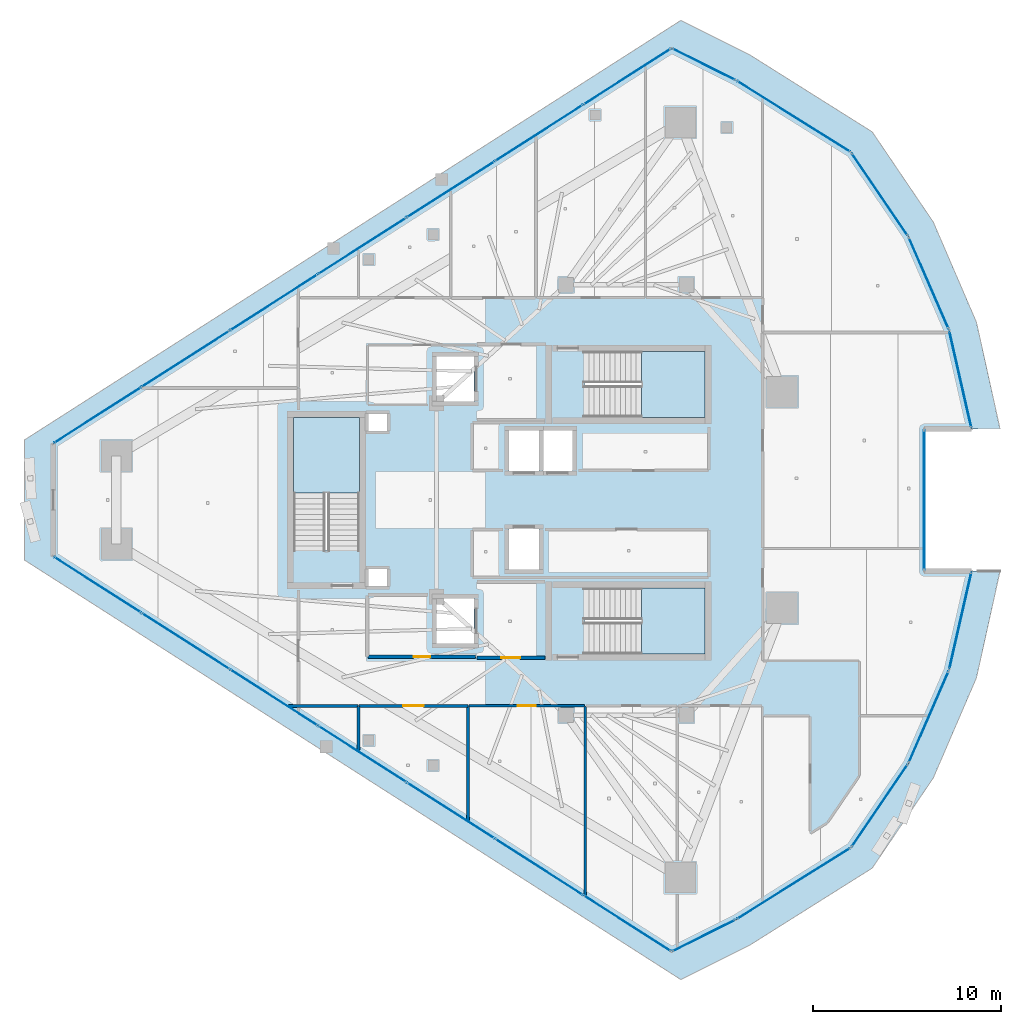
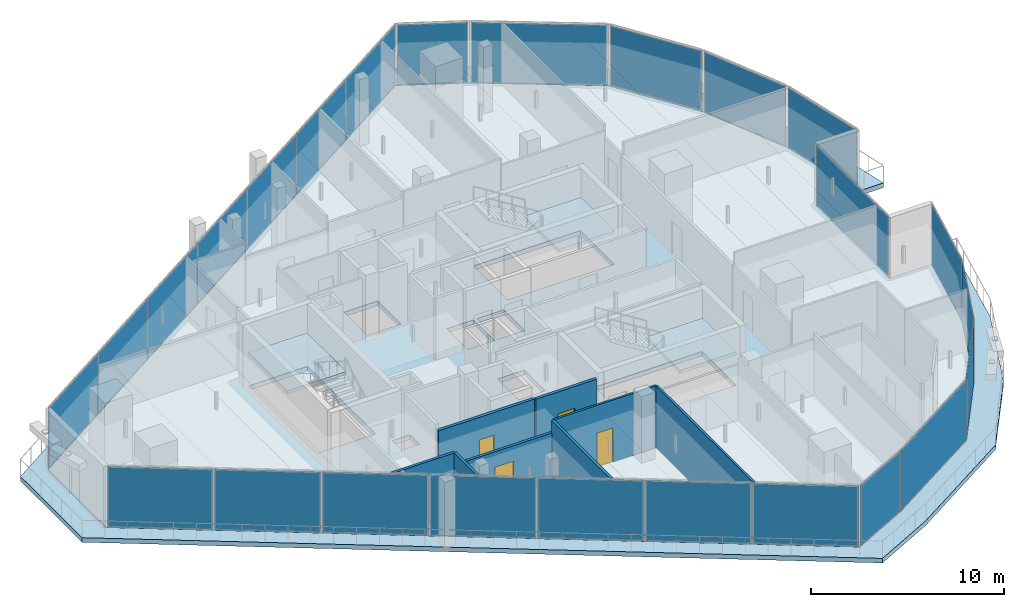
# One storey, part 24 of 36: 25 plates, 8 walls, 5 slabs, 4 doors, 4 openings, 16 elements without a shape of their own.
"""IFC4 building model written with IfcOpenShell, lengths in metres."""

from ifc_helpers import new_model, si_unit, direction, frame, frame_2d, origin, origin_2d, place, context, subcontext, project, spatial, polyline, rectangle, outline, extrude, material, layer, layer_set, type_object, element, fill, aggregate, save


model = new_model("IFC4")

# Units and contexts
model_context = context("Model", 3, precision=1e-05, world=origin(), true_north=direction((0.0, 1.0)))
body_context = subcontext(model_context, "Body", "Model", "MODEL_VIEW")
ifc_project = project(units=[si_unit("LENGTHUNIT", "METRE"), si_unit("AREAUNIT", "SQUARE_METRE"), si_unit("VOLUMEUNIT", "CUBIC_METRE"), si_unit("PLANEANGLEUNIT", "RADIAN"), si_unit("MASSUNIT", "GRAM", prefix="KILO")], contexts=[model_context])

# Site, building, storey
site_placement = place(None, origin())
site = spatial("IfcSite", under=ifc_project, at=site_placement, CompositionType="ELEMENT")
building_placement = place(site_placement, origin())
building = spatial("IfcBuilding", under=site, at=building_placement, Name="Qorvath Tower", CompositionType="ELEMENT")
storey_placement = place(building_placement, frame((0.0, 0.0, 272.39990234375)))
storey = spatial("IfcBuildingStorey", under=building, at=storey_placement, Name="L63", CompositionType="ELEMENT", Elevation=272.39990234375)

# Curtain wall, plates
ifc_material_1 = material(Name="Anodised aluminium and triple low-E glass", Category="aluminium")
ifc_layer_1 = layer(ifc_material_1, 0.179931640625)
ifc_layer_set_1 = layer_set([ifc_layer_1], Name="CW-SYS-4")
curtain_wall_type = type_object("IfcCurtainWallType", Name="CW-SYS-4", PredefinedType="NOTDEFINED", material=ifc_layer_set_1)
curtain_wall_1_placement = place(storey_placement, origin())
curtain_wall_1 = element("IfcCurtainWall", 1, at=curtain_wall_1_placement, inside=storey, type_object=curtain_wall_type, Name="Curtain Wall CW-4 CW-T-L63-2.1", PredefinedType="NOTDEFINED")
ifc_material_2 = material(Name="Acoustic laminated low-E glass", Category="glass")
ifc_layer_2 = layer(ifc_material_2, 0.0380859375)
ifc_layer_set_2 = layer_set([ifc_layer_2], Name="CWP-GLZ-38")
plate_type = type_object("IfcPlateType", Name="CWP-GLZ-38", PredefinedType="CURTAIN_PANEL", material=ifc_layer_set_2)
plate_1_placement = place(storey_placement, frame((-48.538818359375, -4.51904296875, 0.06494140625), z_axis=(0.0, 0.0, 1.0), x_axis=(0.842604094093, -0.538533509281, 0.0)))
plate_1 = element("IfcPlate", 2, at=plate_1_placement, type_object=plate_type, Name="CW-4 panel 1.1", PredefinedType="CURTAIN_PANEL", context=body_context, shape_type="SweptSolid", body=[
    extrude(rectangle(XDim=5.46923828125, YDim=0.0380859375, at=origin_2d()), origin(), (0.0, 0.0, 1.0), 3.7802734375),
])
plate_2_placement = place(storey_placement, frame((-43.8515625, -7.514892578125, 0.06494140625), z_axis=(0.0, 0.0, 1.0), x_axis=(0.842604094093, -0.538533509281, 0.0)))
plate_2 = element("IfcPlate", 3, at=plate_2_placement, type_object=plate_type, Name="CW-4 panel 2.1", PredefinedType="CURTAIN_PANEL", context=body_context, shape_type="SweptSolid", body=[
    extrude(rectangle(XDim=5.506591796875, YDim=0.0380859375, at=origin_2d()), origin(), (0.0, 0.0, 1.0), 3.7802734375),
])
plate_3_placement = place(storey_placement, frame((-39.148193359375, -10.520751953125, 0.06494140625), z_axis=(0.0, 0.0, 1.0), x_axis=(0.842604094093, -0.538533509281, 0.0)))
plate_3 = element("IfcPlate", 4, at=plate_3_placement, type_object=plate_type, Name="CW-4 panel 3.1", PredefinedType="CURTAIN_PANEL", context=body_context, shape_type="SweptSolid", body=[
    extrude(rectangle(XDim=5.506591796875, YDim=0.0380859375, at=origin_2d()), origin(), (0.0, 0.0, 1.0), 3.7802734375),
])
plate_4_placement = place(storey_placement, frame((-34.445068359375, -13.526611328125, 0.06494140625), z_axis=(0.0, 0.0, 1.0), x_axis=(0.842604094093, -0.538533509281, 0.0)))
plate_4 = element("IfcPlate", 5, at=plate_4_placement, type_object=plate_type, Name="CW-4 panel 4.1", PredefinedType="CURTAIN_PANEL", context=body_context, shape_type="SweptSolid", body=[
    extrude(rectangle(XDim=5.506591796875, YDim=0.0380859375, at=origin_2d()), origin(), (0.0, 0.0, 1.0), 3.7802734375),
])
plate_5_placement = place(storey_placement, frame((-29.741943359375, -16.532470703125, 0.06494140625), z_axis=(0.0, 0.0, 1.0), x_axis=(0.842604094093, -0.538533509281, 0.0)))
plate_5 = element("IfcPlate", 6, at=plate_5_placement, type_object=plate_type, Name="CW-4 panel 5.1", PredefinedType="CURTAIN_PANEL", context=body_context, shape_type="SweptSolid", body=[
    extrude(rectangle(XDim=5.506591796875, YDim=0.0380859375, at=origin_2d()), origin(), (0.0, 0.0, 1.0), 3.7802734375),
])
plate_6_placement = place(storey_placement, frame((-25.038818359375, -19.53857421875, 0.06494140625), z_axis=(0.0, 0.0, 1.0), x_axis=(0.842604094093, -0.538533509281, 0.0)))
plate_6 = element("IfcPlate", 7, at=plate_6_placement, type_object=plate_type, Name="CW-4 panel 6.1", PredefinedType="CURTAIN_PANEL", context=body_context, shape_type="SweptSolid", body=[
    extrude(rectangle(XDim=5.506591796875, YDim=0.0380859375, at=origin_2d()), origin(), (0.0, 0.0, 1.0), 3.7802734375),
])
plate_7_placement = place(storey_placement, frame((-20.3515625, -22.534423828125, 0.06494140625), z_axis=(0.0, 0.0, 1.0), x_axis=(0.842604094093, -0.538533509281, 0.0)))
plate_7 = element("IfcPlate", 8, at=plate_7_placement, type_object=plate_type, Name="CW-4 panel 7.1", PredefinedType="CURTAIN_PANEL", context=body_context, shape_type="SweptSolid", body=[
    extrude(rectangle(XDim=5.46923828125, YDim=0.0380859375, at=origin_2d()), origin(), (0.0, 0.0, 1.0), 3.7802734375),
])
aggregate(curtain_wall_1, [plate_1, plate_2, plate_3, plate_4, plate_5, plate_6, plate_7])

# Curtain wall, plate
curtain_wall_2_placement = place(storey_placement, origin())
curtain_wall_2 = element("IfcCurtainWall", 9, at=curtain_wall_2_placement, inside=storey, type_object=curtain_wall_type, Name="Curtain Wall CW-4 CW-T-L63-3.1", PredefinedType="NOTDEFINED")
plate_8_placement = place(storey_placement, frame((-16.266357421875, -23.1884765625, 0.06494140625), z_axis=(0.0, 0.0, 1.0), x_axis=(0.894411568906, 0.447244838324, 0.0)))
plate_8 = element("IfcPlate", 10, at=plate_8_placement, type_object=plate_type, Name="CW-4 panel 1.1", PredefinedType="CURTAIN_PANEL", context=body_context, shape_type="SweptSolid", body=[
    extrude(rectangle(XDim=3.69091796875, YDim=0.0380859375, at=origin_2d()), origin(), (0.0, 0.0, 1.0), 3.7802734375),
])
aggregate(curtain_wall_2, [plate_8])

curtain_wall_3_placement = place(storey_placement, origin())
curtain_wall_3 = element("IfcCurtainWall", 11, at=curtain_wall_3_placement, inside=storey, type_object=curtain_wall_type, Name="Curtain Wall CW-4 CW-T-L63-4.1", PredefinedType="NOTDEFINED")
plate_9_placement = place(storey_placement, frame((-11.489013671875, -20.415283203125, 0.06494140625), z_axis=(0.0, 0.0, 1.0), x_axis=(0.84777096848, 0.530362503391, 0.0)))
plate_9 = element("IfcPlate", 12, at=plate_9_placement, type_object=plate_type, Name="CW-4 panel 1.1", PredefinedType="CURTAIN_PANEL", context=body_context, shape_type="SweptSolid", body=[
    extrude(rectangle(XDim=7.068359375, YDim=0.0380859375, at=origin_2d()), origin(), (0.0, 0.0, 1.0), 3.7802734375),
])
aggregate(curtain_wall_3, [plate_9])

curtain_wall_4_placement = place(storey_placement, origin())
curtain_wall_4 = element("IfcCurtainWall", 13, at=curtain_wall_4_placement, inside=storey, type_object=curtain_wall_type, Name="Curtain Wall CW-4 CW-T-L63-5.1", PredefinedType="NOTDEFINED")
plate_10_placement = place(storey_placement, frame((-6.905029296875, -16.264892578125, 0.06494140625), z_axis=(0.0, 0.0, 1.0), x_axis=(0.56320266455, 0.826318799643, 0.0)))
plate_10 = element("IfcPlate", 14, at=plate_10_placement, type_object=plate_type, Name="CW-4 panel 1.1", PredefinedType="CURTAIN_PANEL", context=body_context, shape_type="SweptSolid", body=[
    extrude(rectangle(XDim=5.262451171875, YDim=0.0380859375, at=origin_2d()), origin(), (0.0, 0.0, 1.0), 3.7802734375),
])
aggregate(curtain_wall_4, [plate_10])

curtain_wall_5_placement = place(storey_placement, origin())
curtain_wall_5 = element("IfcCurtainWall", 15, at=curtain_wall_5_placement, inside=storey, type_object=curtain_wall_type, Name="Curtain Wall CW-4 CW-T-L63-6.1", PredefinedType="NOTDEFINED")
plate_11_placement = place(storey_placement, frame((-4.298583984375, -11.548095703125, 0.06494140625), z_axis=(0.0, 0.0, 1.0), x_axis=(0.399899872441, 0.91655883173, 0.0)))
plate_11 = element("IfcPlate", 16, at=plate_11_placement, type_object=plate_type, Name="CW-4 panel 1.1", PredefinedType="CURTAIN_PANEL", context=body_context, shape_type="SweptSolid", body=[
    extrude(rectangle(XDim=5.262939453125, YDim=0.0380859375, at=origin_2d()), origin(), (0.0, 0.0, 1.0), 3.7802734375),
])
aggregate(curtain_wall_5, [plate_11])

curtain_wall_6_placement = place(storey_placement, origin())
curtain_wall_6 = element("IfcCurtainWall", 17, at=curtain_wall_6_placement, inside=storey, type_object=curtain_wall_type, Name="Curtain Wall CW-4 CW-T-L63-7.1", PredefinedType="NOTDEFINED")
plate_12_placement = place(storey_placement, frame((-2.614013671875, -6.42919921875, 0.06494140625), z_axis=(0.0, 0.0, 1.0), x_axis=(0.222592024744, 0.974911683446, 0.0)))
plate_12 = element("IfcPlate", 18, at=plate_12_placement, type_object=plate_type, Name="CW-4 panel 1.1", PredefinedType="CURTAIN_PANEL", context=body_context, shape_type="SweptSolid", body=[
    extrude(rectangle(XDim=5.2626953125, YDim=0.0380859375, at=origin_2d()), origin(), (0.0, 0.0, 1.0), 3.7802734375),
])
aggregate(curtain_wall_6, [plate_12])

curtain_wall_7_placement = place(storey_placement, origin())
curtain_wall_7 = element("IfcCurtainWall", 19, at=curtain_wall_7_placement, inside=storey, type_object=curtain_wall_type, Name="Curtain Wall CW-4 CW-T-L63-9.1", PredefinedType="NOTDEFINED")
plate_13_placement = place(storey_placement, frame((-4.538818359375, 0.0, 0.06494140625), z_axis=(0.0, 0.0, 1.0), x_axis=(0.0, 1.0, 0.0)))
plate_13 = element("IfcPlate", 20, at=plate_13_placement, type_object=plate_type, Name="CW-4 panel 1.1", PredefinedType="CURTAIN_PANEL", context=body_context, shape_type="SweptSolid", body=[
    extrude(rectangle(XDim=7.431640625, YDim=0.0380859375, at=origin_2d()), origin(), (0.0, 0.0, 1.0), 3.7802734375),
])
aggregate(curtain_wall_7, [plate_13])

curtain_wall_8_placement = place(storey_placement, origin())
curtain_wall_8 = element("IfcCurtainWall", 21, at=curtain_wall_8_placement, inside=storey, type_object=curtain_wall_type, Name="Curtain Wall CW-4 CW-T-L63-11.1", PredefinedType="NOTDEFINED")
plate_14_placement = place(storey_placement, frame((-2.614013671875, 6.42919921875, 0.06494140625), z_axis=(0.0, 0.0, 1.0), x_axis=(-0.222592024744, 0.974911683446, 0.0)))
plate_14 = element("IfcPlate", 22, at=plate_14_placement, type_object=plate_type, Name="CW-4 panel 1.1", PredefinedType="CURTAIN_PANEL", context=body_context, shape_type="SweptSolid", body=[
    extrude(rectangle(XDim=5.2626953125, YDim=0.0380859375, at=origin_2d()), origin(), (0.0, 0.0, 1.0), 3.7802734375),
])
aggregate(curtain_wall_8, [plate_14])

curtain_wall_9_placement = place(storey_placement, origin())
curtain_wall_9 = element("IfcCurtainWall", 23, at=curtain_wall_9_placement, inside=storey, type_object=curtain_wall_type, Name="Curtain Wall CW-4 CW-T-L63-12.1", PredefinedType="NOTDEFINED")
plate_15_placement = place(storey_placement, frame((-4.298583984375, 11.548095703125, 0.06494140625), z_axis=(0.0, 0.0, 1.0), x_axis=(-0.399899872441, 0.91655883173, 0.0)))
plate_15 = element("IfcPlate", 24, at=plate_15_placement, type_object=plate_type, Name="CW-4 panel 1.1", PredefinedType="CURTAIN_PANEL", context=body_context, shape_type="SweptSolid", body=[
    extrude(rectangle(XDim=5.262939453125, YDim=0.0380859375, at=origin_2d()), origin(), (0.0, 0.0, 1.0), 3.7802734375),
])
aggregate(curtain_wall_9, [plate_15])

curtain_wall_10_placement = place(storey_placement, origin())
curtain_wall_10 = element("IfcCurtainWall", 25, at=curtain_wall_10_placement, inside=storey, type_object=curtain_wall_type, Name="Curtain Wall CW-4 CW-T-L63-13.1", PredefinedType="NOTDEFINED")
plate_16_placement = place(storey_placement, frame((-6.905029296875, 16.264892578125, 0.06494140625), z_axis=(0.0, 0.0, 1.0), x_axis=(-0.56320266455, 0.826318799643, 0.0)))
plate_16 = element("IfcPlate", 26, at=plate_16_placement, type_object=plate_type, Name="CW-4 panel 1.1", PredefinedType="CURTAIN_PANEL", context=body_context, shape_type="SweptSolid", body=[
    extrude(rectangle(XDim=5.262451171875, YDim=0.0380859375, at=origin_2d()), origin(), (0.0, 0.0, 1.0), 3.7802734375),
])
aggregate(curtain_wall_10, [plate_16])

curtain_wall_11_placement = place(storey_placement, origin())
curtain_wall_11 = element("IfcCurtainWall", 27, at=curtain_wall_11_placement, inside=storey, type_object=curtain_wall_type, Name="Curtain Wall CW-4 CW-T-L63-14.1", PredefinedType="NOTDEFINED")
plate_17_placement = place(storey_placement, frame((-11.489013671875, 20.415283203125, 0.06494140625), z_axis=(0.0, 0.0, 1.0), x_axis=(-0.84777096848, 0.530362503391, 0.0)))
plate_17 = element("IfcPlate", 28, at=plate_17_placement, type_object=plate_type, Name="CW-4 panel 1.1", PredefinedType="CURTAIN_PANEL", context=body_context, shape_type="SweptSolid", body=[
    extrude(rectangle(XDim=7.068359375, YDim=0.0380859375, at=origin_2d()), origin(), (0.0, 0.0, 1.0), 3.7802734375),
])
aggregate(curtain_wall_11, [plate_17])

curtain_wall_12_placement = place(storey_placement, origin())
curtain_wall_12 = element("IfcCurtainWall", 29, at=curtain_wall_12_placement, inside=storey, type_object=curtain_wall_type, Name="Curtain Wall CW-4 CW-T-L63-15.1", PredefinedType="NOTDEFINED")
plate_18_placement = place(storey_placement, frame((-16.266357421875, 23.1884765625, 0.06494140625), z_axis=(0.0, 0.0, 1.0), x_axis=(-0.894411568906, 0.447244838324, 0.0)))
plate_18 = element("IfcPlate", 30, at=plate_18_placement, type_object=plate_type, Name="CW-4 panel 1.1", PredefinedType="CURTAIN_PANEL", context=body_context, shape_type="SweptSolid", body=[
    extrude(rectangle(XDim=3.69091796875, YDim=0.0380859375, at=origin_2d()), origin(), (0.0, 0.0, 1.0), 3.7802734375),
])
aggregate(curtain_wall_12, [plate_18])

# Curtain wall, plates
curtain_wall_13_placement = place(storey_placement, origin())
curtain_wall_13 = element("IfcCurtainWall", 31, at=curtain_wall_13_placement, inside=storey, type_object=curtain_wall_type, Name="Curtain Wall CW-4 CW-T-L63-16.1", PredefinedType="NOTDEFINED")
plate_19_placement = place(storey_placement, frame((-20.3515625, 22.534423828125, 0.06494140625), z_axis=(0.0, 0.0, 1.0), x_axis=(-0.842604094093, -0.538533509281, 0.0)))
plate_19 = element("IfcPlate", 32, at=plate_19_placement, type_object=plate_type, Name="CW-4 panel 1.1", PredefinedType="CURTAIN_PANEL", context=body_context, shape_type="SweptSolid", body=[
    extrude(rectangle(XDim=5.46923828125, YDim=0.0380859375, at=origin_2d()), origin(), (0.0, 0.0, 1.0), 3.7802734375),
])
plate_20_placement = place(storey_placement, frame((-25.038818359375, 19.53857421875, 0.06494140625), z_axis=(0.0, 0.0, 1.0), x_axis=(-0.842604094093, -0.538533509281, 0.0)))
plate_20 = element("IfcPlate", 33, at=plate_20_placement, type_object=plate_type, Name="CW-4 panel 2.1", PredefinedType="CURTAIN_PANEL", context=body_context, shape_type="SweptSolid", body=[
    extrude(rectangle(XDim=5.506591796875, YDim=0.0380859375, at=origin_2d()), origin(), (0.0, 0.0, 1.0), 3.7802734375),
])
plate_21_placement = place(storey_placement, frame((-29.741943359375, 16.532470703125, 0.06494140625), z_axis=(0.0, 0.0, 1.0), x_axis=(-0.842604094093, -0.538533509281, 0.0)))
plate_21 = element("IfcPlate", 34, at=plate_21_placement, type_object=plate_type, Name="CW-4 panel 3.1", PredefinedType="CURTAIN_PANEL", context=body_context, shape_type="SweptSolid", body=[
    extrude(rectangle(XDim=5.506591796875, YDim=0.0380859375, at=origin_2d()), origin(), (0.0, 0.0, 1.0), 3.7802734375),
])
plate_22_placement = place(storey_placement, frame((-34.445068359375, 13.526611328125, 0.06494140625), z_axis=(0.0, 0.0, 1.0), x_axis=(-0.842604094093, -0.538533509281, 0.0)))
plate_22 = element("IfcPlate", 35, at=plate_22_placement, type_object=plate_type, Name="CW-4 panel 4.1", PredefinedType="CURTAIN_PANEL", context=body_context, shape_type="SweptSolid", body=[
    extrude(rectangle(XDim=5.506591796875, YDim=0.0380859375, at=origin_2d()), origin(), (0.0, 0.0, 1.0), 3.7802734375),
])
plate_23_placement = place(storey_placement, frame((-39.148193359375, 10.520751953125, 0.06494140625), z_axis=(0.0, 0.0, 1.0), x_axis=(-0.842604094093, -0.538533509281, 0.0)))
plate_23 = element("IfcPlate", 36, at=plate_23_placement, type_object=plate_type, Name="CW-4 panel 5.1", PredefinedType="CURTAIN_PANEL", context=body_context, shape_type="SweptSolid", body=[
    extrude(rectangle(XDim=5.506591796875, YDim=0.0380859375, at=origin_2d()), origin(), (0.0, 0.0, 1.0), 3.7802734375),
])
plate_24_placement = place(storey_placement, frame((-43.8515625, 7.514892578125, 0.06494140625), z_axis=(0.0, 0.0, 1.0), x_axis=(-0.842604094093, -0.538533509281, 0.0)))
plate_24 = element("IfcPlate", 37, at=plate_24_placement, type_object=plate_type, Name="CW-4 panel 6.1", PredefinedType="CURTAIN_PANEL", context=body_context, shape_type="SweptSolid", body=[
    extrude(rectangle(XDim=5.506591796875, YDim=0.0380859375, at=origin_2d()), origin(), (0.0, 0.0, 1.0), 3.7802734375),
])
plate_25_placement = place(storey_placement, frame((-48.538818359375, 4.51904296875, 0.06494140625), z_axis=(0.0, 0.0, 1.0), x_axis=(-0.842604094093, -0.538533509281, 0.0)))
plate_25 = element("IfcPlate", 38, at=plate_25_placement, type_object=plate_type, Name="CW-4 panel 7.1", PredefinedType="CURTAIN_PANEL", context=body_context, shape_type="SweptSolid", body=[
    extrude(rectangle(XDim=5.46923828125, YDim=0.0380859375, at=origin_2d()), origin(), (0.0, 0.0, 1.0), 3.7802734375),
])
aggregate(curtain_wall_13, [plate_19, plate_20, plate_21, plate_22, plate_23, plate_24, plate_25])

# Slab
ifc_material_3 = material(Name="Concrete C50/60", Category="concrete")
ifc_layer_3 = layer(ifc_material_3, 0.2900390625)
ifc_layer_set_3 = layer_set([ifc_layer_3], Name="SL-EXEC-290")
slab_type_1 = type_object("IfcSlabType", Name="SL-EXEC-290", PredefinedType="FLOOR", material=ifc_layer_set_3)
slab_1_placement = place(storey_placement, frame((0.0, 0.0, -0.289794921875)))
element("IfcSlab", 39, at=slab_1_placement, inside=storey, type_object=slab_type_1, Name="Tower L63 Interior Floor Slab", PredefinedType="FLOOR", context=body_context, shape_type="SweptSolid", body=[
    extrude(outline(polyline([(-50.90625, 3.005859375), (-50.90625, -3.005859375), (-17.984130859375, -24.04736328125), (-14.548828125, -22.32958984375), (-8.42919921875, -18.501220703125), (-5.380859375, -14.02880859375), (-3.21630859375, -9.067626953125), (-2.011474609375, -3.790771484375), (-4.538818359375, -3.790771484375), (-4.538818359375, 3.790771484375), (-2.011474609375, 3.790771484375), (-3.21630859375, 9.067626953125), (-5.380859375, 14.02880859375), (-8.42919921875, 18.501220703125), (-14.548828125, 22.32958984375), (-17.984130859375, 24.04736328125), (-50.90625, 3.005859375)]), holes=[polyline([(-16.2451171875, -8.199951171875), (-22.625, -8.199951171875), (-22.625, -4.68994140625), (-16.2451171875, -4.68994140625), (-16.2451171875, -8.199951171875)]), polyline([(-22.625, 4.39990234375), (-22.625, 7.909912109375), (-16.2451171875, 7.909912109375), (-16.2451171875, 4.39990234375), (-22.625, 4.39990234375)]), polyline([(-23.25, 1.550048828125), (-24.85009765625, 1.550048828125), (-24.85009765625, 3.699951171875), (-23.25, 3.699951171875), (-23.25, 1.550048828125)]), polyline([(-26.64990234375, -3.699951171875), (-26.64990234375, -1.550048828125), (-25.050048828125, -1.550048828125), (-25.050048828125, -3.699951171875), (-26.64990234375, -3.699951171875)]), polyline([(-25.050048828125, 1.550048828125), (-26.64990234375, 1.550048828125), (-26.64990234375, 3.699951171875), (-25.050048828125, 3.699951171875), (-25.050048828125, 1.550048828125)]), polyline([(-28.5, -7.64990234375), (-30.5, -7.64990234375), (-30.5, -5.25), (-28.5, -5.25), (-28.5, -7.64990234375)]), polyline([(-30.5, 5.25), (-30.5, 7.64990234375), (-28.5, 7.64990234375), (-28.5, 5.25), (-30.5, 5.25)]), polyline([(-33.10009765625, -4.6201171875), (-34.14990234375, -4.6201171875), (-34.14990234375, -3.64990234375), (-33.10009765625, -3.64990234375), (-33.10009765625, -4.6201171875)]), polyline([(-33.10009765625, 3.64990234375), (-34.14990234375, 3.64990234375), (-34.14990234375, 4.6201171875), (-33.10009765625, 4.6201171875), (-33.10009765625, 3.64990234375)]), polyline([(-34.60009765625, -2.675048828125), (-38.110107421875, -2.675048828125), (-38.110107421875, 4.35498046875), (-34.60009765625, 4.35498046875), (-34.60009765625, -2.675048828125)])]), origin(), (0.0, 0.0, 1.0), 0.289794921875),
])

# Stair, slab
ifc_material_4 = material(Name="Concrete C50/60", Category="concrete")
stair_type = type_object("IfcStairType", Name="ST-H420", PredefinedType="HALF_TURN_STAIR", material=ifc_material_4)
stair_1_placement = place(storey_placement, origin())
stair_1 = element("IfcStair", 40, at=stair_1_placement, inside=storey, type_object=stair_type, Name="L63 Tower Exit Stair 1", PredefinedType="HALF_TURN_STAIR")
ifc_material_5 = material(Name="Concrete C50/60", Category="concrete")
ifc_layer_4 = layer(ifc_material_5, 0.199951171875)
ifc_layer_set_4 = layer_set([ifc_layer_4], Name="SL-LND-200")
slab_type_2 = type_object("IfcSlabType", Name="SL-LND-200", PredefinedType="LANDING", material=ifc_layer_set_4)
slab_2_placement = place(storey_placement, frame((0.0, 0.0, 1.900146484375)))
slab_2 = element("IfcSlab", 41, at=slab_2_placement, type_object=slab_type_2, Name="TS1 landing 1", PredefinedType="LANDING", context=body_context, shape_type="SweptSolid", body=[
    extrude(outline(polyline([(-19.590087890625, 4.39990234375), (-16.199951171875, 4.39990234375), (-16.199951171875, 7.909912109375), (-19.590087890625, 7.909912109375), (-19.590087890625, 4.39990234375)])), origin(), (0.0, 0.0, 1.0), 0.199951171875),
])
aggregate(stair_1, [slab_2])

stair_2_placement = place(storey_placement, origin())
stair_2 = element("IfcStair", 42, at=stair_2_placement, inside=storey, type_object=stair_type, Name="L63 Tower Exit Stair 2", PredefinedType="HALF_TURN_STAIR")
slab_3_placement = place(storey_placement, frame((0.0, 0.0, 1.900146484375)))
slab_3 = element("IfcSlab", 43, at=slab_3_placement, type_object=slab_type_2, Name="TS2 landing 1", PredefinedType="LANDING", context=body_context, shape_type="SweptSolid", body=[
    extrude(outline(polyline([(-19.590087890625, -8.199951171875), (-16.199951171875, -8.199951171875), (-16.199951171875, -4.68994140625), (-19.590087890625, -4.68994140625), (-19.590087890625, -8.199951171875)])), origin(), (0.0, 0.0, 1.0), 0.199951171875),
])
aggregate(stair_2, [slab_3])

stair_3_placement = place(storey_placement, origin())
stair_3 = element("IfcStair", 44, at=stair_3_placement, inside=storey, type_object=stair_type, Name="L63 Tower Exit Stair 3", PredefinedType="HALF_TURN_STAIR")
slab_4_placement = place(storey_placement, frame((0.0, 0.0, 1.900146484375)))
slab_4 = element("IfcSlab", 45, at=slab_4_placement, type_object=slab_type_2, Name="TS3 landing 1", PredefinedType="LANDING", context=body_context, shape_type="SweptSolid", body=[
    extrude(outline(polyline([(-34.60009765625, 0.360107421875), (-34.60009765625, 4.39990234375), (-38.110107421875, 4.39990234375), (-38.110107421875, 0.360107421875), (-34.60009765625, 0.360107421875)])), origin(), (0.0, 0.0, 1.0), 0.199951171875),
])
aggregate(stair_3, [slab_4])

# Slab
ifc_material_6 = material(Name="Precast concrete C45/55", Category="concrete")
ifc_layer_5 = layer(ifc_material_6, 0.2900390625)
ifc_layer_set_5 = layer_set([ifc_layer_5], Name="SL-LOG-290")
slab_type_3 = type_object("IfcSlabType", Name="SL-LOG-290", PredefinedType="FLOOR", material=ifc_layer_set_5)
slab_5_placement = place(storey_placement, frame((0.0, 0.0, -0.289794921875)))
element("IfcSlab", 46, at=slab_5_placement, inside=storey, type_object=slab_type_3, Name="Tower L63 Perimeter Loggia and Terrace Slab", PredefinedType="FLOOR", context=body_context, shape_type="SweptSolid", body=[
    extrude(outline(polyline([(-2.011474609375, -3.790771484375), (-3.21630859375, -9.067626953125), (-5.380859375, -14.02880859375), (-8.42919921875, -18.501220703125), (-14.548828125, -22.32958984375), (-17.984130859375, -24.04736328125), (-50.90625, -3.005859375), (-50.90625, 3.005859375), (-17.984130859375, 24.04736328125), (-14.548828125, 22.32958984375), (-8.42919921875, 18.501220703125), (-5.380859375, 14.02880859375), (-3.21630859375, 9.067626953125), (-2.011474609375, 3.790771484375), (-0.5029296875, 3.790771484375), (-1.757080078125, 9.45849609375), (-4.052978515625, 14.790283203125), (-7.30859375, 19.596435546875), (-13.843017578125, 23.7060546875), (-17.489990234375, 25.52978515625), (-52.44140625, 3.191162109375), (-52.44140625, -3.191162109375), (-17.489990234375, -25.52978515625), (-13.843017578125, -23.7060546875), (-7.30859375, -19.596435546875), (-4.052978515625, -14.790283203125), (-1.757080078125, -9.45849609375), (-0.5029296875, -3.790771484375), (-2.011474609375, -3.790771484375)])), origin(), (0.0, 0.0, 1.0), 0.289794921875),
])

# Wall, opening, door
ifc_material_7 = material(Name="Gypsum shaftliner on steel studs", Category="steel")
ifc_layer_6 = layer(ifc_material_7, 0.179931640625)
ifc_layer_set_6 = layer_set([ifc_layer_6], Name="FW-LOBBY")
wall_type_1 = type_object("IfcWallType", Name="FW-LOBBY", PredefinedType="PARTITIONING", material=ifc_layer_set_6)
wall_1_placement = place(storey_placement, frame((-28.35498046875, -8.39990234375, 0.0), z_axis=(0.0, 0.0, 1.0), x_axis=(1.0, 0.0, 0.0)))
wall_1 = element("IfcWall", 47, at=wall_1_placement, inside=storey, type_object=wall_type_1, Name="Interior Partition IW-T1-L63-003", PredefinedType="PARTITIONING", context=body_context, shape_type="SweptSolid", body=[
    extrude(rectangle(XDim=3.6220703125, YDim=0.179931640625, at=frame_2d((1.81103515625, 0.0))), origin(), (0.0, 0.0, 1.0), 3.529052734375),
])
opening_1_placement = place(wall_1_placement, frame((1.31103515625, 0.0, 0.0)))
opening_1 = element("IfcOpeningElement", 48, at=opening_1_placement, cuts=wall_1, Name="Opening D-T1-L63-02", PredefinedType="OPENING", context=body_context, shape_type="SweptSolid", body=[
    extrude(rectangle(XDim=1.0, YDim=2.14990234375, at=frame_2d((0.5, 1.074951171875))), frame((0.0, 0.10009765625, 0.0), z_axis=(0.0, -1.0, 0.0), x_axis=(1.0, 0.0, 0.0)), (0.0, 0.0, 1.0), 0.199951171875),
])
ifc_material_8 = material(Name="Painted galvanised hollow metal", Category="steel")
door_type_1 = type_object("IfcDoorType", Name="FD-60", OperationType="NOTDEFINED", PredefinedType="DOOR", material=ifc_material_8)
door_1_placement = place(opening_1_placement, origin())
door_1 = element("IfcDoor", 49, at=door_1_placement, inside=storey, type_object=door_type_1, Name="Lobby Fire Service Elevator South Door D-T1-L63-02", OperationType="SINGLE_SWING_RIGHT", OverallHeight=2.14990234375, OverallWidth=1.0, PredefinedType="DOOR", context=body_context, shape_type="SweptSolid", body=[
    extrude(rectangle(XDim=1.0, YDim=2.14990234375, at=frame_2d((0.5, 1.074951171875))), frame((0.0, 0.02490234375, 0.0), z_axis=(0.0, -1.0, 0.0), x_axis=(1.0, 0.0, 0.0)), (0.0, 0.0, 1.0), 0.050048828125),
])
fill(opening_1, door_1)

wall_2_placement = place(storey_placement, frame((-34.15478515625, -8.35009765625, 0.0), z_axis=(0.0, 0.0, 1.0), x_axis=(1.0, 0.0, 0.0)))
wall_2 = element("IfcWall", 50, at=wall_2_placement, inside=storey, type_object=wall_type_1, Name="Interior Partition IW-T1-L63-020", PredefinedType="PARTITIONING", context=body_context, shape_type="SweptSolid", body=[
    extrude(rectangle(XDim=5.741943359375, YDim=0.179931640625, at=frame_2d((2.87109375, 0.0))), origin(), (0.0, 0.0, 1.0), 3.529052734375),
])
opening_2_placement = place(wall_2_placement, frame((2.430908203125, 0.0, 0.0)))
opening_2 = element("IfcOpeningElement", 51, at=opening_2_placement, cuts=wall_2, Name="Opening D-T1-L63-06", PredefinedType="OPENING", context=body_context, shape_type="SweptSolid", body=[
    extrude(rectangle(XDim=0.8798828125, YDim=2.10009765625, at=frame_2d((0.43994140625, 1.050048828125))), frame((0.0, 0.10009765625, 0.0), z_axis=(0.0, -1.0, 0.0), x_axis=(1.0, 0.0, 0.0)), (0.0, 0.0, 1.0), 0.199951171875),
])
ifc_material_9 = material(Name="Painted galvanised hollow metal", Category="steel")
door_type_2 = type_object("IfcDoorType", Name="FD-60N", OperationType="NOTDEFINED", PredefinedType="DOOR", material=ifc_material_9)
door_2_placement = place(opening_2_placement, origin())
door_2 = element("IfcDoor", 52, at=door_2_placement, inside=storey, type_object=door_type_2, Name="Core electrical and cleaner room L63 Door D-T1-L63-06", OperationType="SINGLE_SWING_RIGHT", OverallHeight=2.10009765625, OverallWidth=0.8798828125, PredefinedType="DOOR", context=body_context, shape_type="SweptSolid", body=[
    extrude(rectangle(XDim=0.8798828125, YDim=2.10009765625, at=frame_2d((0.43994140625, 1.050048828125))), frame((0.0, 0.02490234375, 0.0), z_axis=(0.0, -1.0, 0.0), x_axis=(1.0, 0.0, 0.0)), (0.0, 0.0, 1.0), 0.050048828125),
])
fill(opening_2, door_2)

ifc_material_10 = material(Name="Double acoustic gypsum board on steel studs", Category="steel")
ifc_layer_7 = layer(ifc_material_10, 0.159912109375)
ifc_layer_set_7 = layer_set([ifc_layer_7], Name="IW-ACOUSTIC-160")
wall_type_2 = type_object("IfcWallType", Name="IW-ACOUSTIC-160", PredefinedType="PARTITIONING", material=ifc_layer_set_7)
wall_3_placement = place(storey_placement, frame((-28.8359375, -10.9580078125, 0.0), z_axis=(0.0, 0.0, 1.0), x_axis=(-1.0, 0.0, 0.0)))
wall_3 = element("IfcWall", 53, at=wall_3_placement, inside=storey, type_object=wall_type_2, Name="Interior Partition IW-T1-L63-030", PredefinedType="PARTITIONING", context=body_context, shape_type="SweptSolid", body=[
    extrude(rectangle(XDim=5.7890625, YDim=0.159912109375, at=frame_2d((2.89453125, 0.0))), origin(), (0.0, 0.0, 1.0), 3.130126953125),
])
opening_3_placement = place(wall_3_placement, frame((2.344482421875, 0.0, 0.0)))
opening_3 = element("IfcOpeningElement", 54, at=opening_3_placement, cuts=wall_3, Name="Opening D-T1-L63-11", PredefinedType="OPENING", context=body_context, shape_type="SweptSolid", body=[
    extrude(rectangle(XDim=1.10009765625, YDim=2.14990234375, at=frame_2d((0.550048828125, 1.074951171875))), frame((0.0, 0.08984375, 0.0), z_axis=(0.0, -1.0, 0.0), x_axis=(1.0, 0.0, 0.0)), (0.0, 0.0, 1.0), 0.179931640625),
])
ifc_material_11 = material(Name="Anodised aluminium acoustic framed glass", Category="aluminium")
door_type_3 = type_object("IfcDoorType", Name="D-03", OperationType="NOTDEFINED", PredefinedType="DOOR", material=ifc_material_11)
door_3_placement = place(opening_3_placement, origin())
door_3 = element("IfcDoor", 55, at=door_3_placement, inside=storey, type_object=door_type_3, Name="L63-05 Client Services Office Door D-T1-L63-11", OperationType="SINGLE_SWING_LEFT", OverallHeight=2.14990234375, OverallWidth=1.10009765625, PredefinedType="DOOR", context=body_context, shape_type="SweptSolid", body=[
    extrude(rectangle(XDim=1.10009765625, YDim=2.14990234375, at=frame_2d((0.550048828125, 1.074951171875))), frame((0.0, 0.02490234375, 0.0), z_axis=(0.0, -1.0, 0.0), x_axis=(1.0, 0.0, 0.0)), (0.0, 0.0, 1.0), 0.050048828125),
])
fill(opening_3, door_3)

# Walls
wall_4_placement = place(storey_placement, frame((-34.64990234375, -10.98291015625, 0.0), z_axis=(0.0, 0.0, 1.0), x_axis=(0.0, -1.0, 0.0)))
element("IfcWall", 56, at=wall_4_placement, inside=storey, type_object=wall_type_2, Name="Interior Partition IW-T1-L63-031", PredefinedType="PARTITIONING", context=body_context, shape_type="SweptSolid", body=[
    extrude(rectangle(XDim=2.332763671875, YDim=0.159912109375, at=frame_2d((1.16650390625, 0.0))), origin(), (0.0, 0.0, 1.0), 3.91015625),
])
wall_5_placement = place(storey_placement, frame((-28.81103515625, -17.047607421875, 0.0), z_axis=(0.0, 0.0, 1.0), x_axis=(0.0, 1.0, 0.0)))
element("IfcWall", 57, at=wall_5_placement, inside=storey, type_object=wall_type_2, Name="Interior Partition IW-T1-L63-032", PredefinedType="PARTITIONING", context=body_context, shape_type="SweptSolid", body=[
    extrude(rectangle(XDim=6.064697265625, YDim=0.159912109375, at=frame_2d((3.0322265625, 0.0))), origin(), (0.0, 0.0, 1.0), 3.91015625),
])
wall_6_placement = place(storey_placement, frame((-38.384033203125, -10.9580078125, 0.0), z_axis=(0.0, 0.0, 1.0), x_axis=(1.0, 0.0, 0.0)))
element("IfcWall", 58, at=wall_6_placement, inside=storey, type_object=wall_type_2, Name="Interior Partition IW-T1-L63-053", PredefinedType="PARTITIONING", context=body_context, shape_type="SweptSolid", body=[
    extrude(rectangle(XDim=3.700927734375, YDim=0.159912109375, at=frame_2d((1.8505859375, 0.0))), origin(), (0.0, 0.0, 1.0), 3.91015625),
])

# Wall, opening, door
ifc_material_12 = material(Name="Gypsum board on metal studs with mineral wool", Category="gypsum")
ifc_layer_8 = layer(ifc_material_12, 0.125)
ifc_layer_set_8 = layer_set([ifc_layer_8], Name="IW-PART-125")
wall_type_3 = type_object("IfcWallType", Name="IW-PART-125", PredefinedType="PARTITIONING", material=ifc_layer_set_8)
wall_7_placement = place(storey_placement, frame((-22.6123046875, -10.9580078125, 0.0), z_axis=(0.0, 0.0, 1.0), x_axis=(-1.0, 0.0, 0.0)))
wall_7 = element("IfcWall", 59, at=wall_7_placement, inside=storey, type_object=wall_type_3, Name="Interior Partition IW-T1-L63-033", PredefinedType="PARTITIONING", context=body_context, shape_type="SweptSolid", body=[
    extrude(rectangle(XDim=6.166015625, YDim=0.125, at=frame_2d((3.0830078125, 0.0))), origin(), (0.0, 0.0, 1.0), 3.91015625),
])
opening_4_placement = place(wall_7_placement, frame((2.60791015625, 0.0, 0.0)))
opening_4 = element("IfcOpeningElement", 60, at=opening_4_placement, cuts=wall_7, Name="Opening D-T1-L63-12", PredefinedType="OPENING", context=body_context, shape_type="SweptSolid", body=[
    extrude(rectangle(XDim=0.949951171875, YDim=2.14990234375, at=frame_2d((0.47509765625, 1.074951171875))), frame((0.0, 0.072509765625, 0.0), z_axis=(0.0, -1.0, 0.0), x_axis=(1.0, 0.0, 0.0)), (0.0, 0.0, 1.0), 0.14501953125),
])
ifc_material_13 = material(Name="Solid-core American white oak veneer", Category="wood")
door_type_4 = type_object("IfcDoorType", Name="D-01", OperationType="NOTDEFINED", PredefinedType="DOOR", material=ifc_material_13)
door_4_placement = place(opening_4_placement, origin())
door_4 = element("IfcDoor", 61, at=door_4_placement, inside=storey, type_object=door_type_4, Name="L63-06 Project Collaboration Workspace Door D-T1-L63-12", OperationType="SINGLE_SWING_RIGHT", OverallHeight=2.14990234375, OverallWidth=0.949951171875, PredefinedType="DOOR", context=body_context, shape_type="SweptSolid", body=[
    extrude(rectangle(XDim=0.949951171875, YDim=2.14990234375, at=frame_2d((0.47509765625, 1.074951171875))), frame((0.0, 0.02490234375, 0.0), z_axis=(0.0, -1.0, 0.0), x_axis=(1.0, 0.0, 0.0)), (0.0, 0.0, 1.0), 0.050048828125),
])
fill(opening_4, door_4)

# Wall
wall_8_placement = place(storey_placement, frame((-22.587158203125, -21.025390625, 0.0), z_axis=(0.0, 0.0, 1.0), x_axis=(0.0, 1.0, 0.0)))
element("IfcWall", 62, at=wall_8_placement, inside=storey, type_object=wall_type_3, Name="Interior Partition IW-T1-L63-034", PredefinedType="PARTITIONING", context=body_context, shape_type="SweptSolid", body=[
    extrude(rectangle(XDim=10.04248046875, YDim=0.125, at=frame_2d((5.021240234375, 0.0))), origin(), (0.0, 0.0, 1.0), 3.91015625),
])

save(model, "model.ifc")
